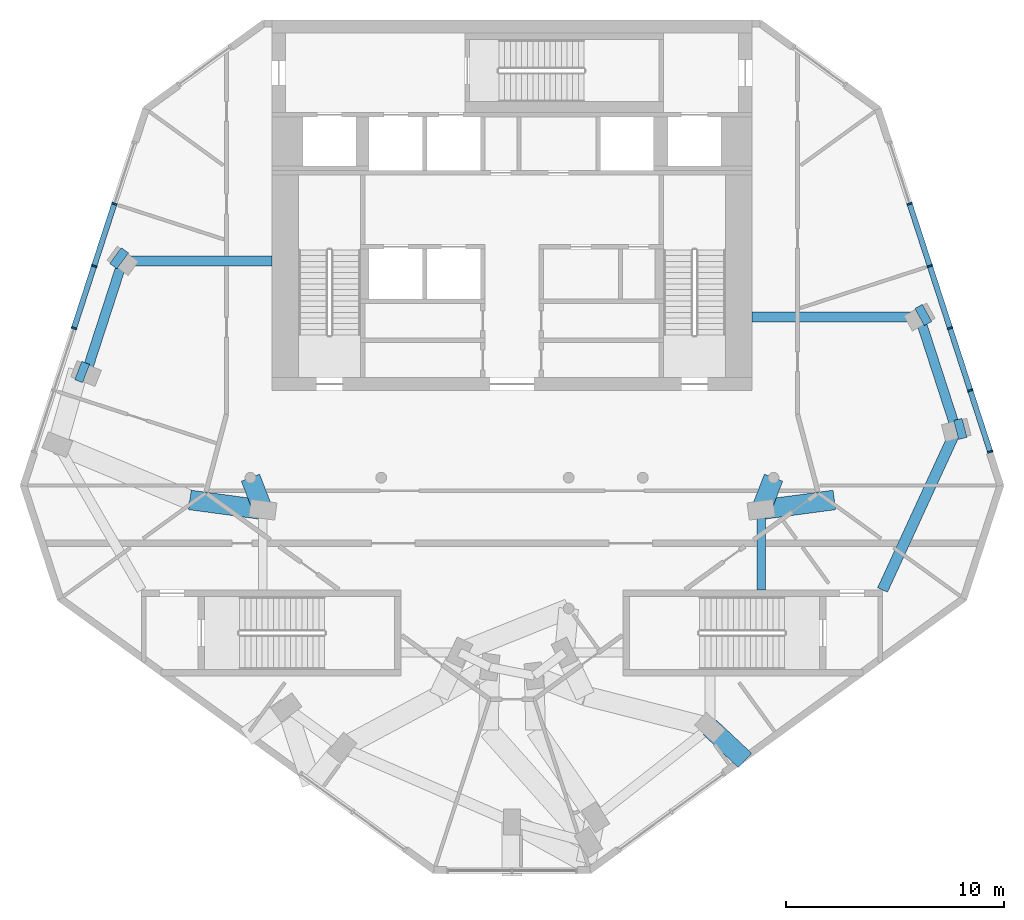
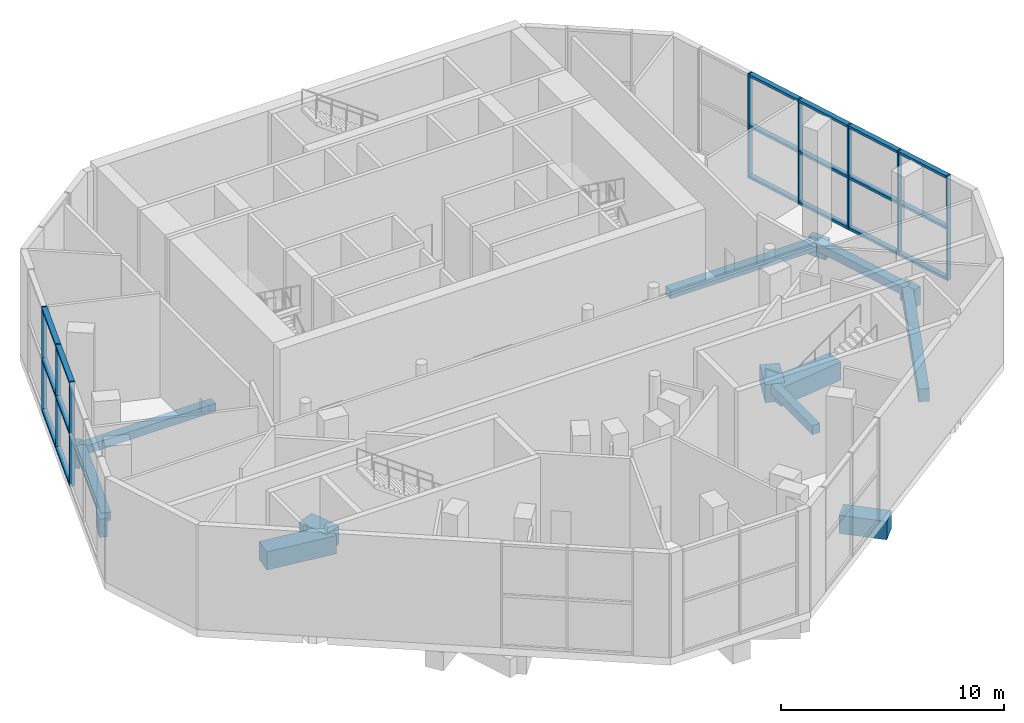
# One storey, part 3 of 11: 26 members, 15 beams, 2 elements without a shape of their own.
"""IFC4 building model written with IfcOpenShell, lengths in metres."""

from ifc_helpers import new_model, si_unit, direction, frame, origin, origin_2d, place, context, subcontext, project, spatial, rectangle, extrude, material, material_profile, profile_set, type_object, element, aggregate, save


model = new_model("IFC4")

# Units and contexts
model_context = context("Model", 3, precision=1e-05, world=origin(), true_north=direction((0.0, 1.0)))
body_context = subcontext(model_context, "Body", "Model", "MODEL_VIEW")
ifc_project = project(units=[si_unit("LENGTHUNIT", "METRE"), si_unit("AREAUNIT", "SQUARE_METRE"), si_unit("VOLUMEUNIT", "CUBIC_METRE"), si_unit("PLANEANGLEUNIT", "RADIAN"), si_unit("MASSUNIT", "GRAM", prefix="KILO")], contexts=[model_context])

# Site, building, storey
site_placement = place(None, origin())
site = spatial("IfcSite", under=ifc_project, at=site_placement, CompositionType="ELEMENT")
building_placement = place(site_placement, origin())
building = spatial("IfcBuilding", under=site, at=building_placement, Name="White Candle Pilgrim Tower", CompositionType="ELEMENT")
storey_placement = place(building_placement, frame((0.0, 0.0, 300.10009765625)))
storey = spatial("IfcBuildingStorey", under=building, at=storey_placement, Name="L71", CompositionType="ELEMENT", Elevation=300.10009765625)

# Curtain wall, members
ifc_material_1 = material(Name="Aluminium and glass", Category="aluminium")
curtain_wall_type = type_object("IfcCurtainWallType", Name="Curtain wall CW4 sky floor glazing", PredefinedType="NOTDEFINED", material=ifc_material_1)
curtain_wall_1_placement = place(storey_placement, origin())
curtain_wall_1 = element("IfcCurtainWall", 1, at=curtain_wall_1_placement, inside=storey, type_object=curtain_wall_type, Name="Curtain wall CW4 L71 ENE", PredefinedType="NOTDEFINED")
ifc_material_2 = material(Name="Aluminium", Category="aluminium")
ifc_material_profile_1 = material_profile(ifc_material_2, rectangle(XDim=0.25, YDim=0.080078125, at=origin_2d()), Name="CW4 mullion 80x250")
ifc_profile_set_1 = profile_set([ifc_material_profile_1], Name="Aluminium")
member_type_1 = type_object("IfcMemberType", Name="CW4 mullion 80x250", PredefinedType="MULLION", material=ifc_profile_set_1)
member_1_placement = place(storey_placement, frame((91.938232421875, 68.192626953125, 0.0), z_axis=(0.0, 0.0, 1.0), x_axis=(-0.951056521548, -0.309016978207, 0.0)))
member_1 = element("IfcMember", 2, at=member_1_placement, type_object=member_type_1, Name="CW4 mullion 1", PredefinedType="MULLION", context=body_context, shape_type="SweptSolid", body=[
    extrude(rectangle(XDim=0.25, YDim=0.080078125, at=origin_2d()), origin(), (0.0, 0.0, 1.0), 5.699951171875),
])
member_2_placement = place(storey_placement, frame((91.023681640625, 71.007568359375, 0.0), z_axis=(0.0, 0.0, 1.0), x_axis=(-0.951056521548, -0.309016978207, 0.0)))
member_2 = element("IfcMember", 3, at=member_2_placement, type_object=member_type_1, Name="CW4 mullion 2", PredefinedType="MULLION", context=body_context, shape_type="SweptSolid", body=[
    extrude(rectangle(XDim=0.25, YDim=0.080078125, at=origin_2d()), origin(), (0.0, 0.0, 1.0), 5.699951171875),
])
member_3_placement = place(storey_placement, frame((90.096435546875, 73.86083984375, 0.0), z_axis=(0.0, 0.0, 1.0), x_axis=(-0.951056521548, -0.309016978207, 0.0)))
member_3 = element("IfcMember", 4, at=member_3_placement, type_object=member_type_1, Name="CW4 mullion 3", PredefinedType="MULLION", context=body_context, shape_type="SweptSolid", body=[
    extrude(rectangle(XDim=0.25, YDim=0.080078125, at=origin_2d()), origin(), (0.0, 0.0, 1.0), 5.699951171875),
])
member_4_placement = place(storey_placement, frame((89.16943359375, 76.714111328125, 0.0), z_axis=(0.0, 0.0, 1.0), x_axis=(-0.951056521548, -0.309016978207, 0.0)))
member_4 = element("IfcMember", 5, at=member_4_placement, type_object=member_type_1, Name="CW4 mullion 4", PredefinedType="MULLION", context=body_context, shape_type="SweptSolid", body=[
    extrude(rectangle(XDim=0.25, YDim=0.080078125, at=origin_2d()), origin(), (0.0, 0.0, 1.0), 5.699951171875),
])
member_5_placement = place(storey_placement, frame((88.242431640625, 79.567138671875, 0.0), z_axis=(0.0, 0.0, 1.0), x_axis=(-0.951056521548, -0.309016978207, 0.0)))
member_5 = element("IfcMember", 6, at=member_5_placement, type_object=member_type_1, Name="CW4 mullion 5", PredefinedType="MULLION", context=body_context, shape_type="SweptSolid", body=[
    extrude(rectangle(XDim=0.25, YDim=0.080078125, at=origin_2d()), origin(), (0.0, 0.0, 1.0), 5.699951171875),
])

curtain_wall_2_placement = place(storey_placement, origin())
curtain_wall_2 = element("IfcCurtainWall", 7, at=curtain_wall_2_placement, inside=storey, type_object=curtain_wall_type, Name="Curtain wall CW4 L71 WNW", PredefinedType="NOTDEFINED")
member_6_placement = place(storey_placement, frame((51.757568359375, 79.567138671875, 0.0), z_axis=(0.0, 0.0, 1.0), x_axis=(0.951056521548, -0.309016978207, 0.0)))
member_6 = element("IfcMember", 8, at=member_6_placement, type_object=member_type_1, Name="CW4 mullion 2", PredefinedType="MULLION", context=body_context, shape_type="SweptSolid", body=[
    extrude(rectangle(XDim=0.25, YDim=0.080078125, at=origin_2d()), origin(), (0.0, 0.0, 1.0), 5.699951171875),
])
member_7_placement = place(storey_placement, frame((50.83056640625, 76.714111328125, 0.0), z_axis=(0.0, 0.0, 1.0), x_axis=(0.951056521548, -0.309016978207, 0.0)))
member_7 = element("IfcMember", 9, at=member_7_placement, type_object=member_type_1, Name="CW4 mullion 3", PredefinedType="MULLION", context=body_context, shape_type="SweptSolid", body=[
    extrude(rectangle(XDim=0.25, YDim=0.080078125, at=origin_2d()), origin(), (0.0, 0.0, 1.0), 5.699951171875),
])
member_8_placement = place(storey_placement, frame((49.903564453125, 73.86083984375, 0.0), z_axis=(0.0, 0.0, 1.0), x_axis=(0.951056521548, -0.309016978207, 0.0)))
member_8 = element("IfcMember", 10, at=member_8_placement, type_object=member_type_1, Name="CW4 mullion 4", PredefinedType="MULLION", context=body_context, shape_type="SweptSolid", body=[
    extrude(rectangle(XDim=0.25, YDim=0.080078125, at=origin_2d()), origin(), (0.0, 0.0, 1.0), 5.699951171875),
])

# Member
ifc_material_profile_2 = material_profile(ifc_material_2, rectangle(XDim=0.25, YDim=0.139892578125, at=origin_2d()), Name="CW4 transom 140x250")
ifc_profile_set_2 = profile_set([ifc_material_profile_2], Name="Aluminium")
member_type_2 = type_object("IfcMemberType", Name="CW4 transom 140x250", PredefinedType="USERDEFINED", material=ifc_profile_set_2)
member_9_placement = place(storey_placement, frame((91.926025390625, 68.23046875, 0.06982421875), z_axis=(-0.309047739241, 0.951046526133, 0.0), x_axis=(-0.951046526133, -0.309047739241, 0.0)))
member_9 = element("IfcMember", 11, at=member_9_placement, type_object=member_type_2, Name="CW4 transom 1.1", ObjectType="TRANSOM", PredefinedType="USERDEFINED", context=body_context, shape_type="SweptSolid", body=[
    extrude(rectangle(XDim=0.25, YDim=0.139892578125, at=origin_2d()), origin(), (0.0, 0.0, 1.0), 2.88037109375),
])

member_10_placement = place(storey_placement, frame((91.926025390625, 68.23046875, 2.849853515625), z_axis=(-0.309047739241, 0.951046526133, 0.0), x_axis=(-0.951046526133, -0.309047739241, 0.0)))
member_10 = element("IfcMember", 12, at=member_10_placement, type_object=member_type_2, Name="CW4 transom 1.2", ObjectType="TRANSOM", PredefinedType="USERDEFINED", context=body_context, shape_type="SweptSolid", body=[
    extrude(rectangle(XDim=0.25, YDim=0.139892578125, at=origin_2d()), origin(), (0.0, 0.0, 1.0), 2.88037109375),
])

member_11_placement = place(storey_placement, frame((91.926025390625, 68.23046875, 5.6298828125), z_axis=(-0.309047739241, 0.951046526133, 0.0), x_axis=(-0.951046526133, -0.309047739241, 0.0)))
member_11 = element("IfcMember", 13, at=member_11_placement, type_object=member_type_2, Name="CW4 transom 1.3", ObjectType="TRANSOM", PredefinedType="USERDEFINED", context=body_context, shape_type="SweptSolid", body=[
    extrude(rectangle(XDim=0.25, YDim=0.139892578125, at=origin_2d()), origin(), (0.0, 0.0, 1.0), 2.88037109375),
])

member_12_placement = place(storey_placement, frame((91.01123046875, 71.045654296875, 0.06982421875), z_axis=(-0.309019902571, 0.95105557136, 0.0), x_axis=(-0.95105557136, -0.309019902571, 0.0)))
member_12 = element("IfcMember", 14, at=member_12_placement, type_object=member_type_2, Name="CW4 transom 2.1", ObjectType="TRANSOM", PredefinedType="USERDEFINED", context=body_context, shape_type="SweptSolid", body=[
    extrude(rectangle(XDim=0.25, YDim=0.139892578125, at=origin_2d()), origin(), (0.0, 0.0, 1.0), 2.919921875),
])

member_13_placement = place(storey_placement, frame((91.01123046875, 71.045654296875, 2.849853515625), z_axis=(-0.309019902571, 0.95105557136, 0.0), x_axis=(-0.95105557136, -0.309019902571, 0.0)))
member_13 = element("IfcMember", 15, at=member_13_placement, type_object=member_type_2, Name="CW4 transom 2.2", ObjectType="TRANSOM", PredefinedType="USERDEFINED", context=body_context, shape_type="SweptSolid", body=[
    extrude(rectangle(XDim=0.25, YDim=0.139892578125, at=origin_2d()), origin(), (0.0, 0.0, 1.0), 2.919921875),
])

member_14_placement = place(storey_placement, frame((91.01123046875, 71.045654296875, 5.6298828125), z_axis=(-0.309019902571, 0.95105557136, 0.0), x_axis=(-0.95105557136, -0.309019902571, 0.0)))
member_14 = element("IfcMember", 16, at=member_14_placement, type_object=member_type_2, Name="CW4 transom 2.3", ObjectType="TRANSOM", PredefinedType="USERDEFINED", context=body_context, shape_type="SweptSolid", body=[
    extrude(rectangle(XDim=0.25, YDim=0.139892578125, at=origin_2d()), origin(), (0.0, 0.0, 1.0), 2.919921875),
])

member_15_placement = place(storey_placement, frame((90.084228515625, 73.89892578125, 0.06982421875), z_axis=(-0.309019902571, 0.95105557136, 0.0), x_axis=(-0.95105557136, -0.309019902571, 0.0)))
member_15 = element("IfcMember", 17, at=member_15_placement, type_object=member_type_2, Name="CW4 transom 3.1", ObjectType="TRANSOM", PredefinedType="USERDEFINED", context=body_context, shape_type="SweptSolid", body=[
    extrude(rectangle(XDim=0.25, YDim=0.139892578125, at=origin_2d()), origin(), (0.0, 0.0, 1.0), 2.919921875),
])

member_16_placement = place(storey_placement, frame((90.084228515625, 73.89892578125, 2.849853515625), z_axis=(-0.309019902571, 0.95105557136, 0.0), x_axis=(-0.95105557136, -0.309019902571, 0.0)))
member_16 = element("IfcMember", 18, at=member_16_placement, type_object=member_type_2, Name="CW4 transom 3.2", ObjectType="TRANSOM", PredefinedType="USERDEFINED", context=body_context, shape_type="SweptSolid", body=[
    extrude(rectangle(XDim=0.25, YDim=0.139892578125, at=origin_2d()), origin(), (0.0, 0.0, 1.0), 2.919921875),
])

member_17_placement = place(storey_placement, frame((90.084228515625, 73.89892578125, 5.6298828125), z_axis=(-0.309019902571, 0.95105557136, 0.0), x_axis=(-0.95105557136, -0.309019902571, 0.0)))
member_17 = element("IfcMember", 19, at=member_17_placement, type_object=member_type_2, Name="CW4 transom 3.3", ObjectType="TRANSOM", PredefinedType="USERDEFINED", context=body_context, shape_type="SweptSolid", body=[
    extrude(rectangle(XDim=0.25, YDim=0.139892578125, at=origin_2d()), origin(), (0.0, 0.0, 1.0), 2.919921875),
])

member_18_placement = place(storey_placement, frame((89.1572265625, 76.751953125, 0.06982421875), z_axis=(-0.309019902571, 0.95105557136, 0.0), x_axis=(-0.95105557136, -0.309019902571, 0.0)))
member_18 = element("IfcMember", 20, at=member_18_placement, type_object=member_type_2, Name="CW4 transom 4.1", ObjectType="TRANSOM", PredefinedType="USERDEFINED", context=body_context, shape_type="SweptSolid", body=[
    extrude(rectangle(XDim=0.25, YDim=0.139892578125, at=origin_2d()), origin(), (0.0, 0.0, 1.0), 2.919921875),
])

member_19_placement = place(storey_placement, frame((89.1572265625, 76.751953125, 2.849853515625), z_axis=(-0.309019902571, 0.95105557136, 0.0), x_axis=(-0.95105557136, -0.309019902571, 0.0)))
member_19 = element("IfcMember", 21, at=member_19_placement, type_object=member_type_2, Name="CW4 transom 4.2", ObjectType="TRANSOM", PredefinedType="USERDEFINED", context=body_context, shape_type="SweptSolid", body=[
    extrude(rectangle(XDim=0.25, YDim=0.139892578125, at=origin_2d()), origin(), (0.0, 0.0, 1.0), 2.919921875),
])

member_20_placement = place(storey_placement, frame((89.1572265625, 76.751953125, 5.6298828125), z_axis=(-0.309019902571, 0.95105557136, 0.0), x_axis=(-0.95105557136, -0.309019902571, 0.0)))
member_20 = element("IfcMember", 22, at=member_20_placement, type_object=member_type_2, Name="CW4 transom 4.3", ObjectType="TRANSOM", PredefinedType="USERDEFINED", context=body_context, shape_type="SweptSolid", body=[
    extrude(rectangle(XDim=0.25, YDim=0.139892578125, at=origin_2d()), origin(), (0.0, 0.0, 1.0), 2.919921875),
])

aggregate(curtain_wall_1, [member_1, member_2, member_3, member_4, member_5, member_9, member_10, member_11, member_12, member_13, member_14, member_15, member_16, member_17, member_18, member_19, member_20])

member_21_placement = place(storey_placement, frame((51.7451171875, 79.529052734375, 0.06982421875), z_axis=(-0.309019902571, -0.95105557136, 0.0), x_axis=(0.95105557136, -0.309019902571, 0.0)))
member_21 = element("IfcMember", 23, at=member_21_placement, type_object=member_type_2, Name="CW4 transom 2.1", ObjectType="TRANSOM", PredefinedType="USERDEFINED", context=body_context, shape_type="SweptSolid", body=[
    extrude(rectangle(XDim=0.25, YDim=0.139892578125, at=origin_2d()), origin(), (0.0, 0.0, 1.0), 2.919921875),
])

member_22_placement = place(storey_placement, frame((51.7451171875, 79.529052734375, 2.849853515625), z_axis=(-0.309019902571, -0.95105557136, 0.0), x_axis=(0.95105557136, -0.309019902571, 0.0)))
member_22 = element("IfcMember", 24, at=member_22_placement, type_object=member_type_2, Name="CW4 transom 2.2", ObjectType="TRANSOM", PredefinedType="USERDEFINED", context=body_context, shape_type="SweptSolid", body=[
    extrude(rectangle(XDim=0.25, YDim=0.139892578125, at=origin_2d()), origin(), (0.0, 0.0, 1.0), 2.919921875),
])

member_23_placement = place(storey_placement, frame((51.7451171875, 79.529052734375, 5.6298828125), z_axis=(-0.309019902571, -0.95105557136, 0.0), x_axis=(0.95105557136, -0.309019902571, 0.0)))
member_23 = element("IfcMember", 25, at=member_23_placement, type_object=member_type_2, Name="CW4 transom 2.3", ObjectType="TRANSOM", PredefinedType="USERDEFINED", context=body_context, shape_type="SweptSolid", body=[
    extrude(rectangle(XDim=0.25, YDim=0.139892578125, at=origin_2d()), origin(), (0.0, 0.0, 1.0), 2.919921875),
])

member_24_placement = place(storey_placement, frame((50.818115234375, 76.676025390625, 0.06982421875), z_axis=(-0.309019902571, -0.95105557136, 0.0), x_axis=(0.95105557136, -0.309019902571, 0.0)))
member_24 = element("IfcMember", 26, at=member_24_placement, type_object=member_type_2, Name="CW4 transom 3.1", ObjectType="TRANSOM", PredefinedType="USERDEFINED", context=body_context, shape_type="SweptSolid", body=[
    extrude(rectangle(XDim=0.25, YDim=0.139892578125, at=origin_2d()), origin(), (0.0, 0.0, 1.0), 2.919921875),
])

member_25_placement = place(storey_placement, frame((50.818115234375, 76.676025390625, 2.849853515625), z_axis=(-0.309019902571, -0.95105557136, 0.0), x_axis=(0.95105557136, -0.309019902571, 0.0)))
member_25 = element("IfcMember", 27, at=member_25_placement, type_object=member_type_2, Name="CW4 transom 3.2", ObjectType="TRANSOM", PredefinedType="USERDEFINED", context=body_context, shape_type="SweptSolid", body=[
    extrude(rectangle(XDim=0.25, YDim=0.139892578125, at=origin_2d()), origin(), (0.0, 0.0, 1.0), 2.919921875),
])

member_26_placement = place(storey_placement, frame((50.818115234375, 76.676025390625, 5.6298828125), z_axis=(-0.309019902571, -0.95105557136, 0.0), x_axis=(0.95105557136, -0.309019902571, 0.0)))
member_26 = element("IfcMember", 28, at=member_26_placement, type_object=member_type_2, Name="CW4 transom 3.3", ObjectType="TRANSOM", PredefinedType="USERDEFINED", context=body_context, shape_type="SweptSolid", body=[
    extrude(rectangle(XDim=0.25, YDim=0.139892578125, at=origin_2d()), origin(), (0.0, 0.0, 1.0), 2.919921875),
])

aggregate(curtain_wall_2, [member_6, member_7, member_8, member_21, member_22, member_23, member_24, member_25, member_26])

# Beams
ifc_material_3 = material(Name="Concrete C50/60", Category="concrete")
ifc_material_profile_3 = material_profile(ifc_material_3, rectangle(XDim=0.39990234375, YDim=0.5, at=origin_2d()), Name="RC-BM 400x500")
ifc_profile_set_3 = profile_set([ifc_material_profile_3], Name="Concrete C50/60")
beam_type_1 = type_object("IfcBeamType", Name="Ring beam RC-BM 400x500 C50/60", PredefinedType="BEAM", material=ifc_profile_set_3)
beam_1_placement = place(storey_placement, frame((81.429931640625, 65.530029296875, -0.650146484375), z_axis=(0.0, -1.0, 0.0), x_axis=(1.0, 0.0, 0.0)))
element("IfcBeam", 29, at=beam_1_placement, inside=storey, type_object=beam_type_1, Name="L71 ring beam R05", PredefinedType="BEAM", context=body_context, shape_type="SweptSolid", body=[
    extrude(rectangle(XDim=0.39990234375, YDim=0.5, at=origin_2d()), origin(), (0.0, 0.0, 1.0), 3.679931640625),
])
ifc_material_profile_4 = material_profile(ifc_material_3, rectangle(XDim=0.449951171875, YDim=0.449951171875, at=origin_2d()), Name="RC-BM 450x450")
ifc_profile_set_4 = profile_set([ifc_material_profile_4], Name="Concrete C50/60")
beam_type_2 = type_object("IfcBeamType", Name="Spandrel beam RC-BM 450x450 C50/60", PredefinedType="BEAM", material=ifc_profile_set_4)
beam_2_placement = place(storey_placement, frame((90.3798828125, 69.18994140625, -0.625), z_axis=(-0.308483867578, 0.951229574521, 0.0), x_axis=(-0.951229574521, -0.308483867578, 0.0)))
element("IfcBeam", 30, at=beam_2_placement, inside=storey, type_object=beam_type_2, Name="L71 spandrel beam T07", PredefinedType="BEAM", context=body_context, shape_type="SweptSolid", body=[
    extrude(rectangle(XDim=0.449951171875, YDim=0.449951171875, at=origin_2d()), origin(), (0.0, 0.0, 1.0), 5.44580078125),
])
beam_3_placement = place(storey_placement, frame((88.699951171875, 74.3701171875, -0.625), z_axis=(-1.0, 0.0, 0.0), x_axis=(0.0, -1.0, 0.0)))
element("IfcBeam", 31, at=beam_3_placement, inside=storey, type_object=beam_type_2, Name="L71 spandrel beam T08", PredefinedType="BEAM", context=body_context, shape_type="SweptSolid", body=[
    extrude(rectangle(XDim=0.449951171875, YDim=0.449951171875, at=origin_2d()), origin(), (0.0, 0.0, 1.0), 7.699951171875),
])
beam_4_placement = place(storey_placement, frame((52.139892578125, 76.949951171875, -0.625), z_axis=(1.0, 0.0, 0.0), x_axis=(0.0, 1.0, 0.0)))
element("IfcBeam", 32, at=beam_4_placement, inside=storey, type_object=beam_type_2, Name="L71 spandrel beam T09", PredefinedType="BEAM", context=body_context, shape_type="SweptSolid", body=[
    extrude(rectangle(XDim=0.449951171875, YDim=0.449951171875, at=origin_2d()), origin(), (0.0, 0.0, 1.0), 6.860107421875),
])
beam_5_placement = place(storey_placement, frame((52.139892578125, 76.949951171875, -0.625), z_axis=(-0.309037326628, -0.951049909705, 0.0), x_axis=(0.951049909705, -0.309037326628, 0.0)))
element("IfcBeam", 33, at=beam_5_placement, inside=storey, type_object=beam_type_2, Name="L71 spandrel beam T10", PredefinedType="BEAM", context=body_context, shape_type="SweptSolid", body=[
    extrude(rectangle(XDim=0.449951171875, YDim=0.449951171875, at=origin_2d()), origin(), (0.0, 0.0, 1.0), 5.43603515625),
])
ifc_material_profile_5 = material_profile(ifc_material_3, rectangle(XDim=0.5, YDim=0.699951171875, at=origin_2d()), Name="RC-BM 500x700")
ifc_profile_set_5 = profile_set([ifc_material_profile_5], Name="Concrete C50/60")
beam_type_3 = type_object("IfcBeamType", Name="Spandrel beam RC-BM 500x700 C50/60", PredefinedType="BEAM", material=ifc_profile_set_5)
beam_6_placement = place(storey_placement, frame((90.3798828125, 69.18994140625, -0.75), z_axis=(-0.418268649431, -0.908323365825, 0.0), x_axis=(0.908323365825, -0.418268649431, 0.0)))
element("IfcBeam", 34, at=beam_6_placement, inside=storey, type_object=beam_type_3, Name="L71 spandrel beam T06", PredefinedType="BEAM", context=body_context, shape_type="SweptSolid", body=[
    extrude(rectangle(XDim=0.5, YDim=0.699951171875, at=origin_2d()), origin(), (0.0, 0.0, 1.0), 8.08056640625),
])
ifc_material_profile_6 = material_profile(ifc_material_3, rectangle(XDim=0.89990234375, YDim=1.0, at=origin_2d()), Name="RC-BM 900x1000")
ifc_profile_set_6 = profile_set([ifc_material_profile_6], Name="Concrete C50/60")
beam_type_4 = type_object("IfcBeamType", Name="Transfer girder RC-BM 900x1000 C50/60", PredefinedType="BEAM", material=ifc_profile_set_6)
beam_7_placement = place(storey_placement, frame((84.7900390625, 65.97998046875, -0.900146484375), z_axis=(-0.991152895661, -0.132725044445, 0.0), x_axis=(0.132725044445, -0.991152895661, 0.0)))
element("IfcBeam", 35, at=beam_7_placement, inside=storey, type_object=beam_type_4, Name="L71 transfer girder X03", PredefinedType="BEAM", context=body_context, shape_type="SweptSolid", body=[
    extrude(rectangle(XDim=0.89990234375, YDim=1.0, at=origin_2d()), origin(), (0.0, 0.0, 1.0), 3.39013671875),
])
beam_8_placement = place(storey_placement, frame((81.429931640625, 65.530029296875, -0.900146484375), z_axis=(0.361571808257, 0.932344264461, 0.0), x_axis=(-0.932344264461, 0.361571808257, 0.0)))
element("IfcBeam", 36, at=beam_8_placement, inside=storey, type_object=beam_type_4, Name="L71 transfer girder X04", PredefinedType="BEAM", context=body_context, shape_type="SweptSolid", body=[
    extrude(rectangle(XDim=0.89990234375, YDim=1.0, at=origin_2d()), origin(), (0.0, 0.0, 1.0), 1.57666015625),
])
beam_9_placement = place(storey_placement, frame((55.219970703125, 65.97998046875, -0.900146484375), z_axis=(0.991100652813, -0.133114597226, 0.0), x_axis=(0.133114597226, 0.991100652813, 0.0)))
element("IfcBeam", 37, at=beam_9_placement, inside=storey, type_object=beam_type_4, Name="L71 transfer girder X05", PredefinedType="BEAM", context=body_context, shape_type="SweptSolid", body=[
    extrude(rectangle(XDim=0.89990234375, YDim=1.0, at=origin_2d()), origin(), (0.0, 0.0, 1.0), 3.380126953125),
])
beam_10_placement = place(storey_placement, frame((58.570068359375, 65.530029296875, -0.900146484375), z_axis=(-0.361571808257, 0.932344264461, 0.0), x_axis=(-0.932344264461, -0.361571808257, 0.0)))
element("IfcBeam", 38, at=beam_10_placement, inside=storey, type_object=beam_type_4, Name="L71 transfer girder X06", PredefinedType="BEAM", context=body_context, shape_type="SweptSolid", body=[
    extrude(rectangle(XDim=0.89990234375, YDim=1.0, at=origin_2d()), origin(), (0.0, 0.0, 1.0), 1.57666015625),
])
beam_11_placement = place(storey_placement, frame((80.68994140625, 54.030029296875, -0.900146484375), z_axis=(-0.729364711569, 0.68412507447, 0.0), x_axis=(-0.68412507447, -0.729364711569, 0.0)))
element("IfcBeam", 39, at=beam_11_placement, inside=storey, type_object=beam_type_4, Name="L71 transfer girder X15", PredefinedType="BEAM", context=body_context, shape_type="SweptSolid", body=[
    extrude(rectangle(XDim=0.89990234375, YDim=1.0, at=origin_2d()), origin(), (0.0, 0.0, 1.0), 2.207275390625),
])
beam_12_placement = place(storey_placement, frame((51.81005859375, 77.18994140625, -0.900146484375), z_axis=(0.808606654016, -0.588349623167, 0.0), x_axis=(0.588349623167, 0.808606654016, 0.0)))
element("IfcBeam", 40, at=beam_12_placement, inside=storey, type_object=beam_type_4, Name="L71 transfer girder X26", PredefinedType="BEAM", context=body_context, shape_type="SweptSolid", body=[
    extrude(rectangle(XDim=0.89990234375, YDim=1.0, at=origin_2d()), origin(), (0.0, 0.0, 1.0), 0.407958984375),
])
beam_13_placement = place(storey_placement, frame((90.760009765625, 69.2900390625, -0.900146484375), z_axis=(-0.967034299264, -0.254646154591, 0.0), x_axis=(0.254646154591, -0.967034299264, 0.0)))
element("IfcBeam", 41, at=beam_13_placement, inside=storey, type_object=beam_type_4, Name="L71 transfer girder X27", PredefinedType="BEAM", context=body_context, shape_type="SweptSolid", body=[
    extrude(rectangle(XDim=0.89990234375, YDim=1.0, at=origin_2d()), origin(), (0.0, 0.0, 1.0), 0.39306640625),
])
beam_14_placement = place(storey_placement, frame((89.0400390625, 74.56005859375, -0.900146484375), z_axis=(-0.873061204522, -0.48761063684, 0.0), x_axis=(0.48761063684, -0.873061204522, 0.0)))
element("IfcBeam", 42, at=beam_14_placement, inside=storey, type_object=beam_type_4, Name="L71 transfer girder X28", PredefinedType="BEAM", context=body_context, shape_type="SweptSolid", body=[
    extrude(rectangle(XDim=0.89990234375, YDim=1.0, at=origin_2d()), origin(), (0.0, 0.0, 1.0), 0.3896484375),
])
beam_15_placement = place(storey_placement, frame((50.10009765625, 71.919921875, -0.900146484375), z_axis=(0.932052130564, -0.362324200009, 0.0), x_axis=(0.362324200009, 0.932052130564, 0.0)))
element("IfcBeam", 43, at=beam_15_placement, inside=storey, type_object=beam_type_4, Name="L71 transfer girder X29", PredefinedType="BEAM", context=body_context, shape_type="SweptSolid", body=[
    extrude(rectangle(XDim=0.89990234375, YDim=1.0, at=origin_2d()), origin(), (0.0, 0.0, 1.0), 0.385986328125),
])

save(model, "model.ifc")
